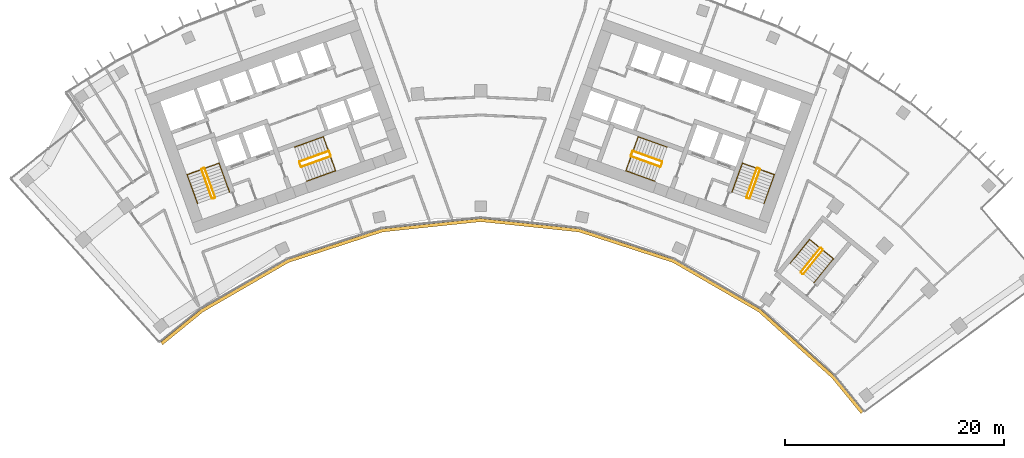
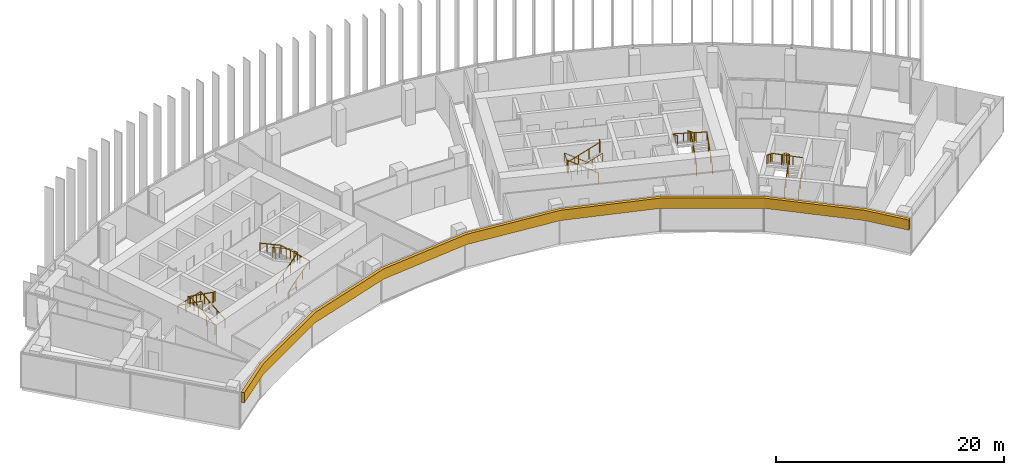
# One storey, part 19 of 19: 15 railings, 1 covering.
"""IFC4 building model written with IfcOpenShell, lengths in metres."""

from ifc_helpers import new_model, si_unit, direction, frame, origin, origin_2d, place, context, subcontext, project, spatial, polyline, circle, outline, extrude, material, layer, layer_set, type_object, element, save


model = new_model("IFC4")

# Units and contexts
model_context = context("Model", 3, precision=1e-05, world=origin(), true_north=direction((0.0, 1.0)))
body_context = subcontext(model_context, "Body", "Model", "MODEL_VIEW")
ifc_project = project(units=[si_unit("LENGTHUNIT", "METRE"), si_unit("AREAUNIT", "SQUARE_METRE"), si_unit("VOLUMEUNIT", "CUBIC_METRE"), si_unit("PLANEANGLEUNIT", "RADIAN"), si_unit("MASSUNIT", "GRAM", prefix="KILO")], contexts=[model_context])

# Site, building, storey
site_placement = place(None, origin())
site = spatial("IfcSite", under=ifc_project, at=site_placement, CompositionType="ELEMENT")
building_placement = place(site_placement, origin())
building = spatial("IfcBuilding", under=site, at=building_placement, Name="Stone Belt Terrace Tower", CompositionType="ELEMENT")
storey_placement = place(building_placement, frame((0.0, 0.0, 235.199951171875)))
storey = spatial("IfcBuildingStorey", under=building, at=storey_placement, Name="L57", CompositionType="ELEMENT", Elevation=235.199951171875)

# Railings
ifc_material_1 = material(Name="Structural steel C345", Category="steel")
railing_type_1 = type_object("IfcRailingType", Name="Stair guard 1100", PredefinedType="GUARDRAIL", material=ifc_material_1)
railing_1_placement = place(storey_placement, frame((-24.2119140625, 45.276123046875, 0.1728515625)))
element("IfcRailing", 1, at=railing_1_placement, inside=storey, type_object=railing_type_1, Name="L57 ST1A stair guard 1", PredefinedType="GUARDRAIL", context=body_context, shape_type="SweptSolid", body=[
    extrude(circle(Radius=0.02392578125, at=origin_2d()), frame((0.0, 0.0, 1.076171875), z_axis=(-0.288228637646, 0.800791768495, 0.525030280985), x_axis=(-0.940908529223, -0.338660803216, 0.0)), (0.0, 0.0, 1.0), 3.289794921875),
    extrude(circle(Radius=0.02392578125, at=origin_2d()), frame((-0.9482421875, 2.634521484375, 2.80322265625), z_axis=(-0.905209821074, 0.424964916, 0.0), x_axis=(-0.424964916, -0.905209821074, 0.0)), (0.0, 0.0, 1.0), 0.070556640625),
    extrude(circle(Radius=0.02392578125, at=origin_2d()), frame((-1.01220703125, 2.66455078125, 2.80322265625), z_axis=(-0.941105063269, -0.338114270461, 0.0), x_axis=(0.338114270461, -0.941105063269, 0.0)), (0.0, 0.0, 1.0), 0.199951171875),
    extrude(circle(Radius=0.02099609375, at=origin_2d()), origin(), (0.0, 0.0, 1.0), 1.052001953125),
    extrude(circle(Radius=0.02099609375, at=origin_2d()), frame((-0.316162109375, 0.878173828125, 0.57568359375)), (0.0, 0.0, 1.0), 1.052001953125),
    extrude(circle(Radius=0.02099609375, at=origin_2d()), frame((-0.632080078125, 1.75634765625, 1.151611328125)), (0.0, 0.0, 1.0), 1.052001953125),
    extrude(circle(Radius=0.02099609375, at=origin_2d()), frame((-0.9482421875, 2.634521484375, 1.727294921875)), (0.0, 0.0, 1.0), 1.052001953125),
    extrude(circle(Radius=0.02099609375, at=origin_2d()), frame((-1.01220703125, 2.66455078125, 1.727294921875)), (0.0, 0.0, 1.0), 1.052001953125),
    extrude(circle(Radius=0.02099609375, at=origin_2d()), frame((-1.200439453125, 2.596923828125, 1.727294921875)), (0.0, 0.0, 1.0), 1.052001953125),
])
railing_2_placement = place(storey_placement, frame((-25.4423828125, 47.80908203125, 2.07275390625)))
element("IfcRailing", 2, at=railing_2_placement, inside=storey, type_object=railing_type_1, Name="L57 ST1A stair guard 2", PredefinedType="GUARDRAIL", context=body_context, shape_type="SweptSolid", body=[
    extrude(circle(Radius=0.02392578125, at=origin_2d()), frame((0.0, 0.0, 1.076171875), z_axis=(0.288228637646, -0.800791768495, 0.525030280985), x_axis=(0.940908529223, 0.338660803216, 0.0)), (0.0, 0.0, 1.0), 3.289794921875),
    extrude(circle(Radius=0.02392578125, at=origin_2d()), frame((0.9482421875, -2.634521484375, 2.80322265625), z_axis=(0.903878284585, -0.427789722475, 0.0), x_axis=(0.427789722475, 0.903878284585, 0.0)), (0.0, 0.0, 1.0), 0.07080078125),
    extrude(circle(Radius=0.02392578125, at=origin_2d()), frame((1.01220703125, -2.664794921875, 2.80322265625), z_axis=(0.940575576748, 0.339584429008, 0.0), x_axis=(-0.339584429008, 0.940575576748, 0.0)), (0.0, 0.0, 1.0), 0.199951171875),
    extrude(circle(Radius=0.02099609375, at=origin_2d()), origin(), (0.0, 0.0, 1.0), 1.052001953125),
    extrude(circle(Radius=0.02099609375, at=origin_2d()), frame((0.316162109375, -0.878173828125, 0.57568359375)), (0.0, 0.0, 1.0), 1.052001953125),
    extrude(circle(Radius=0.02099609375, at=origin_2d()), frame((0.632080078125, -1.75634765625, 1.151611328125)), (0.0, 0.0, 1.0), 1.052001953125),
    extrude(circle(Radius=0.02099609375, at=origin_2d()), frame((0.9482421875, -2.634521484375, 1.727294921875)), (0.0, 0.0, 1.0), 1.052001953125),
    extrude(circle(Radius=0.02099609375, at=origin_2d()), frame((1.01220703125, -2.664794921875, 1.727294921875)), (0.0, 0.0, 1.0), 1.052001953125),
    extrude(circle(Radius=0.02099609375, at=origin_2d()), frame((1.2001953125, -2.596923828125, 1.727294921875)), (0.0, 0.0, 1.0), 1.052001953125),
])
railing_3_placement = place(storey_placement, frame((-16.33837890625, 48.056640625, 0.1728515625)))
element("IfcRailing", 3, at=railing_3_placement, inside=storey, type_object=railing_type_1, Name="L57 ST2A stair guard 1", PredefinedType="GUARDRAIL", context=body_context, shape_type="SweptSolid", body=[
    extrude(circle(Radius=0.02392578125, at=origin_2d()), frame((0.0, 0.0, 1.076171875), z_axis=(0.800808895155, 0.288160591223, 0.52504150989), x_axis=(-0.338583606334, 0.940936311087, 0.0)), (0.0, 0.0, 1.0), 3.289794921875),
    extrude(circle(Radius=0.02392578125, at=origin_2d()), frame((2.634521484375, 0.947998046875, 2.80322265625), z_axis=(0.427789722475, 0.903878284585, 0.0), x_axis=(-0.903878284585, 0.427789722475, 0.0)), (0.0, 0.0, 1.0), 0.07080078125),
    extrude(circle(Radius=0.02392578125, at=origin_2d()), frame((2.664794921875, 1.011962890625, 2.80322265625), z_axis=(-0.338654645739, 0.940910745459, 0.0), x_axis=(-0.940910745459, -0.338654645739, 0.0)), (0.0, 0.0, 1.0), 0.400146484375),
    extrude(circle(Radius=0.02099609375, at=origin_2d()), origin(), (0.0, 0.0, 1.0), 1.052001953125),
    extrude(circle(Radius=0.02099609375, at=origin_2d()), frame((0.878173828125, 0.31591796875, 0.57568359375)), (0.0, 0.0, 1.0), 1.052001953125),
    extrude(circle(Radius=0.02099609375, at=origin_2d()), frame((1.75634765625, 0.632080078125, 1.151611328125)), (0.0, 0.0, 1.0), 1.052001953125),
    extrude(circle(Radius=0.02099609375, at=origin_2d()), frame((2.634521484375, 0.947998046875, 1.727294921875)), (0.0, 0.0, 1.0), 1.052001953125),
    extrude(circle(Radius=0.02099609375, at=origin_2d()), frame((2.664794921875, 1.011962890625, 1.727294921875)), (0.0, 0.0, 1.0), 1.052001953125),
    extrude(circle(Radius=0.02099609375, at=origin_2d()), frame((2.529296875, 1.388427734375, 1.727294921875)), (0.0, 0.0, 1.0), 1.052001953125),
])
railing_4_placement = place(storey_placement, frame((-13.873046875, 49.47509765625, 2.07275390625)))
element("IfcRailing", 4, at=railing_4_placement, inside=storey, type_object=railing_type_1, Name="L57 ST2A stair guard 2", PredefinedType="GUARDRAIL", context=body_context, shape_type="SweptSolid", body=[
    extrude(circle(Radius=0.02392578125, at=origin_2d()), frame((0.0, 0.0, 1.076171875), z_axis=(-0.800808895155, -0.288160591223, 0.52504150989), x_axis=(0.338583606334, -0.940936311087, 0.0)), (0.0, 0.0, 1.0), 3.289794921875),
    extrude(circle(Radius=0.02392578125, at=origin_2d()), frame((-2.634521484375, -0.947998046875, 2.80322265625), z_axis=(-0.427789722475, -0.903878284585, 0.0), x_axis=(0.903878284585, -0.427789722475, 0.0)), (0.0, 0.0, 1.0), 0.07080078125),
    extrude(circle(Radius=0.02392578125, at=origin_2d()), frame((-2.664794921875, -1.011962890625, 2.80322265625), z_axis=(0.338654645739, -0.940910745459, 0.0), x_axis=(0.940910745459, 0.338654645739, 0.0)), (0.0, 0.0, 1.0), 0.400146484375),
    extrude(circle(Radius=0.02099609375, at=origin_2d()), origin(), (0.0, 0.0, 1.0), 1.052001953125),
    extrude(circle(Radius=0.02099609375, at=origin_2d()), frame((-0.878173828125, -0.31591796875, 0.57568359375)), (0.0, 0.0, 1.0), 1.052001953125),
    extrude(circle(Radius=0.02099609375, at=origin_2d()), frame((-1.75634765625, -0.632080078125, 1.151611328125)), (0.0, 0.0, 1.0), 1.052001953125),
    extrude(circle(Radius=0.02099609375, at=origin_2d()), frame((-2.634521484375, -0.947998046875, 1.727294921875)), (0.0, 0.0, 1.0), 1.052001953125),
    extrude(circle(Radius=0.02099609375, at=origin_2d()), frame((-2.664794921875, -1.011962890625, 1.727294921875)), (0.0, 0.0, 1.0), 1.052001953125),
    extrude(circle(Radius=0.02099609375, at=origin_2d()), frame((-2.529296875, -1.388427734375, 1.727294921875)), (0.0, 0.0, 1.0), 1.052001953125),
])
railing_5_placement = place(storey_placement, frame((24.494140625, 45.174560546875, 0.1728515625)))
element("IfcRailing", 5, at=railing_5_placement, inside=storey, type_object=railing_type_1, Name="L57 ST1B stair guard 1", PredefinedType="GUARDRAIL", context=body_context, shape_type="SweptSolid", body=[
    extrude(circle(Radius=0.02392578125, at=origin_2d()), frame((0.0, 0.0, 1.076171875), z_axis=(0.288228637646, 0.800791768495, 0.525030280985), x_axis=(-0.940908529223, 0.338660803216, 0.0)), (0.0, 0.0, 1.0), 3.289794921875),
    extrude(circle(Radius=0.02392578125, at=origin_2d()), frame((0.9482421875, 2.634521484375, 2.80322265625), z_axis=(-0.424964916, 0.905209821074, 0.0), x_axis=(-0.905209821074, -0.424964916, 0.0)), (0.0, 0.0, 1.0), 0.070556640625),
    extrude(circle(Radius=0.02392578125, at=origin_2d()), frame((0.918212890625, 2.698486328125, 2.80322265625), z_axis=(-0.941105063269, 0.338114270461, 0.0), x_axis=(-0.338114270461, -0.941105063269, 0.0)), (0.0, 0.0, 1.0), 0.199951171875),
    extrude(circle(Radius=0.02099609375, at=origin_2d()), origin(), (0.0, 0.0, 1.0), 1.052001953125),
    extrude(circle(Radius=0.02099609375, at=origin_2d()), frame((0.316162109375, 0.878173828125, 0.57568359375)), (0.0, 0.0, 1.0), 1.052001953125),
    extrude(circle(Radius=0.02099609375, at=origin_2d()), frame((0.632080078125, 1.75634765625, 1.151611328125)), (0.0, 0.0, 1.0), 1.052001953125),
    extrude(circle(Radius=0.02099609375, at=origin_2d()), frame((0.9482421875, 2.634521484375, 1.727294921875)), (0.0, 0.0, 1.0), 1.052001953125),
    extrude(circle(Radius=0.02099609375, at=origin_2d()), frame((0.918212890625, 2.698486328125, 1.727294921875)), (0.0, 0.0, 1.0), 1.052001953125),
    extrude(circle(Radius=0.02099609375, at=origin_2d()), frame((0.72998046875, 2.76611328125, 1.727294921875)), (0.0, 0.0, 1.0), 1.052001953125),
])
railing_6_placement = place(storey_placement, frame((25.16015625, 47.91064453125, 2.07275390625)))
element("IfcRailing", 6, at=railing_6_placement, inside=storey, type_object=railing_type_1, Name="L57 ST1B stair guard 2", PredefinedType="GUARDRAIL", context=body_context, shape_type="SweptSolid", body=[
    extrude(circle(Radius=0.02392578125, at=origin_2d()), frame((0.0, 0.0, 1.076171875), z_axis=(-0.288228637646, -0.800791768495, 0.525030280985), x_axis=(0.940908529223, -0.338660803216, 0.0)), (0.0, 0.0, 1.0), 3.289794921875),
    extrude(circle(Radius=0.02392578125, at=origin_2d()), frame((-0.9482421875, -2.634521484375, 2.80322265625), z_axis=(0.427789722475, -0.903878284585, 0.0), x_axis=(0.903878284585, 0.427789722475, 0.0)), (0.0, 0.0, 1.0), 0.07080078125),
    extrude(circle(Radius=0.02392578125, at=origin_2d()), frame((-0.91796875, -2.698486328125, 2.80322265625), z_axis=(0.940575576748, -0.339584429008, 0.0), x_axis=(0.339584429008, 0.940575576748, 0.0)), (0.0, 0.0, 1.0), 0.199951171875),
    extrude(circle(Radius=0.02099609375, at=origin_2d()), origin(), (0.0, 0.0, 1.0), 1.052001953125),
    extrude(circle(Radius=0.02099609375, at=origin_2d()), frame((-0.316162109375, -0.878173828125, 0.57568359375)), (0.0, 0.0, 1.0), 1.052001953125),
    extrude(circle(Radius=0.02099609375, at=origin_2d()), frame((-0.632080078125, -1.75634765625, 1.151611328125)), (0.0, 0.0, 1.0), 1.052001953125),
    extrude(circle(Radius=0.02099609375, at=origin_2d()), frame((-0.9482421875, -2.634521484375, 1.727294921875)), (0.0, 0.0, 1.0), 1.052001953125),
    extrude(circle(Radius=0.02099609375, at=origin_2d()), frame((-0.91796875, -2.698486328125, 1.727294921875)), (0.0, 0.0, 1.0), 1.052001953125),
    extrude(circle(Radius=0.02099609375, at=origin_2d()), frame((-0.72998046875, -2.766357421875, 1.727294921875)), (0.0, 0.0, 1.0), 1.052001953125),
])
railing_7_placement = place(storey_placement, frame((16.507568359375, 48.527099609375, 0.1728515625)))
element("IfcRailing", 7, at=railing_7_placement, inside=storey, type_object=railing_type_1, Name="L57 ST2B stair guard 1", PredefinedType="GUARDRAIL", context=body_context, shape_type="SweptSolid", body=[
    extrude(circle(Radius=0.02392578125, at=origin_2d()), frame((0.0, 0.0, 1.076171875), z_axis=(-0.800808895155, 0.288160591223, 0.52504150989), x_axis=(-0.338583606334, -0.940936311087, 0.0)), (0.0, 0.0, 1.0), 3.289794921875),
    extrude(circle(Radius=0.02392578125, at=origin_2d()), frame((-2.634521484375, 0.947998046875, 2.80322265625), z_axis=(-0.905209821074, -0.424964916, 0.0), x_axis=(0.424964916, -0.905209821074, 0.0)), (0.0, 0.0, 1.0), 0.070556640625),
    extrude(circle(Radius=0.02392578125, at=origin_2d()), frame((-2.698486328125, 0.91796875, 2.80322265625), z_axis=(-0.338654645739, -0.940910745459, 0.0), x_axis=(0.940910745459, -0.338654645739, 0.0)), (0.0, 0.0, 1.0), 0.400146484375),
    extrude(circle(Radius=0.02099609375, at=origin_2d()), origin(), (0.0, 0.0, 1.0), 1.052001953125),
    extrude(circle(Radius=0.02099609375, at=origin_2d()), frame((-0.878173828125, 0.31591796875, 0.57568359375)), (0.0, 0.0, 1.0), 1.052001953125),
    extrude(circle(Radius=0.02099609375, at=origin_2d()), frame((-1.75634765625, 0.632080078125, 1.151611328125)), (0.0, 0.0, 1.0), 1.052001953125),
    extrude(circle(Radius=0.02099609375, at=origin_2d()), frame((-2.634521484375, 0.947998046875, 1.727294921875)), (0.0, 0.0, 1.0), 1.052001953125),
    extrude(circle(Radius=0.02099609375, at=origin_2d()), frame((-2.698486328125, 0.91796875, 1.727294921875)), (0.0, 0.0, 1.0), 1.052001953125),
    extrude(circle(Radius=0.02099609375, at=origin_2d()), frame((-2.833984375, 0.54150390625, 1.727294921875)), (0.0, 0.0, 1.0), 1.052001953125),
])
railing_8_placement = place(storey_placement, frame((13.703857421875, 49.004638671875, 2.07275390625)))
element("IfcRailing", 8, at=railing_8_placement, inside=storey, type_object=railing_type_1, Name="L57 ST2B stair guard 2", PredefinedType="GUARDRAIL", context=body_context, shape_type="SweptSolid", body=[
    extrude(circle(Radius=0.02392578125, at=origin_2d()), frame((0.0, 0.0, 1.076171875), z_axis=(0.800808895155, -0.288160591223, 0.52504150989), x_axis=(0.338583606334, 0.940936311087, 0.0)), (0.0, 0.0, 1.0), 3.289794921875),
    extrude(circle(Radius=0.02392578125, at=origin_2d()), frame((2.634521484375, -0.947998046875, 2.80322265625), z_axis=(0.905209821074, 0.424964916, 0.0), x_axis=(-0.424964916, 0.905209821074, 0.0)), (0.0, 0.0, 1.0), 0.070556640625),
    extrude(circle(Radius=0.02392578125, at=origin_2d()), frame((2.698486328125, -0.91796875, 2.80322265625), z_axis=(0.338654645739, 0.940910745459, 0.0), x_axis=(-0.940910745459, 0.338654645739, 0.0)), (0.0, 0.0, 1.0), 0.400146484375),
    extrude(circle(Radius=0.02099609375, at=origin_2d()), origin(), (0.0, 0.0, 1.0), 1.052001953125),
    extrude(circle(Radius=0.02099609375, at=origin_2d()), frame((0.878173828125, -0.31591796875, 0.57568359375)), (0.0, 0.0, 1.0), 1.052001953125),
    extrude(circle(Radius=0.02099609375, at=origin_2d()), frame((1.75634765625, -0.632080078125, 1.151611328125)), (0.0, 0.0, 1.0), 1.052001953125),
    extrude(circle(Radius=0.02099609375, at=origin_2d()), frame((2.634521484375, -0.947998046875, 1.727294921875)), (0.0, 0.0, 1.0), 1.052001953125),
    extrude(circle(Radius=0.02099609375, at=origin_2d()), frame((2.698486328125, -0.91796875, 1.727294921875)), (0.0, 0.0, 1.0), 1.052001953125),
    extrude(circle(Radius=0.02099609375, at=origin_2d()), frame((2.833984375, -0.54150390625, 1.727294921875)), (0.0, 0.0, 1.0), 1.052001953125),
])
railing_9_placement = place(storey_placement, frame((29.39794921875, 38.281982421875, 0.1728515625)))
element("IfcRailing", 9, at=railing_9_placement, inside=storey, type_object=railing_type_1, Name="L57 ST3B stair guard 1", PredefinedType="GUARDRAIL", context=body_context, shape_type="SweptSolid", body=[
    extrude(circle(Radius=0.02392578125, at=origin_2d()), frame((0.0, 0.0, 1.076171875), z_axis=(0.536393061503, 0.660769759217, 0.525038864158), x_axis=(-0.776391310223, 0.630251166924, 0.0)), (0.0, 0.0, 1.0), 3.289794921875),
    extrude(circle(Radius=0.02392578125, at=origin_2d()), frame((1.7646484375, 2.173828125, 2.80322265625), z_axis=(-0.103251414163, 0.994655289773, 0.0), x_axis=(-0.994655289773, -0.103251414163, 0.0)), (0.0, 0.0, 1.0), 0.071044921875),
    extrude(circle(Radius=0.02392578125, at=origin_2d()), frame((1.75732421875, 2.244384765625, 2.80322265625), z_axis=(-0.776561986372, 0.630040856868, 0.0), x_axis=(-0.630040856868, -0.776561986372, 0.0)), (0.0, 0.0, 1.0), 0.199951171875),
    extrude(circle(Radius=0.02099609375, at=origin_2d()), origin(), (0.0, 0.0, 1.0), 1.052001953125),
    extrude(circle(Radius=0.02099609375, at=origin_2d()), frame((0.588134765625, 0.724609375, 0.57568359375)), (0.0, 0.0, 1.0), 1.052001953125),
    extrude(circle(Radius=0.02099609375, at=origin_2d()), frame((1.176513671875, 1.44921875, 1.151611328125)), (0.0, 0.0, 1.0), 1.052001953125),
    extrude(circle(Radius=0.02099609375, at=origin_2d()), frame((1.7646484375, 2.173828125, 1.727294921875)), (0.0, 0.0, 1.0), 1.052001953125),
    extrude(circle(Radius=0.02099609375, at=origin_2d()), frame((1.75732421875, 2.244384765625, 1.727294921875)), (0.0, 0.0, 1.0), 1.052001953125),
    extrude(circle(Radius=0.02099609375, at=origin_2d()), frame((1.60205078125, 2.370361328125, 1.727294921875)), (0.0, 0.0, 1.0), 1.052001953125),
])
railing_10_placement = place(storey_placement, frame((30.9296875, 40.64501953125, 2.07275390625)))
element("IfcRailing", 10, at=railing_10_placement, inside=storey, type_object=railing_type_1, Name="L57 ST3B stair guard 2", PredefinedType="GUARDRAIL", context=body_context, shape_type="SweptSolid", body=[
    extrude(circle(Radius=0.02392578125, at=origin_2d()), frame((0.0, 0.0, 1.076171875), z_axis=(-0.536366759382, -0.660811565066, 0.525013118792), x_axis=(0.776425942316, -0.630208502084, 0.0)), (0.0, 0.0, 1.0), 3.2900390625),
    extrude(circle(Radius=0.02392578125, at=origin_2d()), frame((-1.7646484375, -2.174072265625, 2.80322265625), z_axis=(0.103606084259, -0.994618408891, 0.0), x_axis=(0.994618408891, 0.103606084259, 0.0)), (0.0, 0.0, 1.0), 0.07080078125),
    extrude(circle(Radius=0.02392578125, at=origin_2d()), frame((-1.75732421875, -2.244384765625, 2.80322265625), z_axis=(0.776561986372, -0.630040856868, 0.0), x_axis=(0.630040856868, 0.776561986372, 0.0)), (0.0, 0.0, 1.0), 0.199951171875),
    extrude(circle(Radius=0.02099609375, at=origin_2d()), origin(), (0.0, 0.0, 1.0), 1.052001953125),
    extrude(circle(Radius=0.02099609375, at=origin_2d()), frame((-0.588134765625, -0.724609375, 0.57568359375)), (0.0, 0.0, 1.0), 1.052001953125),
    extrude(circle(Radius=0.02099609375, at=origin_2d()), frame((-1.176513671875, -1.449462890625, 1.151611328125)), (0.0, 0.0, 1.0), 1.052001953125),
    extrude(circle(Radius=0.02099609375, at=origin_2d()), frame((-1.7646484375, -2.174072265625, 1.727294921875)), (0.0, 0.0, 1.0), 1.052001953125),
    extrude(circle(Radius=0.02099609375, at=origin_2d()), frame((-1.75732421875, -2.244384765625, 1.727294921875)), (0.0, 0.0, 1.0), 1.052001953125),
    extrude(circle(Radius=0.02099609375, at=origin_2d()), frame((-1.60205078125, -2.370361328125, 1.727294921875)), (0.0, 0.0, 1.0), 1.052001953125),
])
railing_type_2 = type_object("IfcRailingType", Name="Stair handrail 900", PredefinedType="HANDRAIL", material=ifc_material_1)
railing_11_placement = place(storey_placement, frame((-22.894775390625, 45.750244140625, 0.1728515625)))
element("IfcRailing", 11, at=railing_11_placement, inside=storey, type_object=railing_type_2, Name="L57 ST1A stair handrail 1", PredefinedType="HANDRAIL", context=body_context, shape_type="SweptSolid", body=[
    extrude(circle(Radius=0.02392578125, at=origin_2d()), frame((0.0, 0.0, 0.8759765625), z_axis=(-0.288160591223, 0.800808895155, 0.52504150989), x_axis=(-0.940936311087, -0.338583606334, 0.0)), (0.0, 0.0, 1.0), 3.289794921875),
    extrude(circle(Radius=0.02392578125, at=origin_2d()), frame((-0.947998046875, 2.634521484375, 2.60302734375), z_axis=(-0.939464517435, -0.338106580597, 0.055591012205), x_axis=(0.338630230244, -0.940919532779, 0.0)), (0.0, 0.0, 1.0), 3.10498046875),
    extrude(circle(Radius=0.02392578125, at=origin_2d()), frame((-3.864990234375, 1.584716796875, 2.77587890625), z_axis=(0.288228637646, -0.800791768495, 0.525030280985), x_axis=(0.940908529223, 0.338660803216, 0.0)), (0.0, 0.0, 1.0), 3.289794921875),
    extrude(circle(Radius=0.02099609375, at=origin_2d()), origin(), (0.0, 0.0, 1.0), 0.851806640625),
    extrude(circle(Radius=0.02099609375, at=origin_2d()), frame((-0.31591796875, 0.878173828125, 0.57568359375)), (0.0, 0.0, 1.0), 0.851806640625),
    extrude(circle(Radius=0.02099609375, at=origin_2d()), frame((-0.632080078125, 1.75634765625, 1.151611328125)), (0.0, 0.0, 1.0), 0.851806640625),
    extrude(circle(Radius=0.02099609375, at=origin_2d()), frame((-0.947998046875, 2.634521484375, 1.727294921875)), (0.0, 0.0, 1.0), 0.851806640625),
    extrude(circle(Radius=0.02099609375, at=origin_2d()), frame((-1.92041015625, 2.28466796875, 1.784912109375)), (0.0, 0.0, 1.0), 0.851806640625),
    extrude(circle(Radius=0.02099609375, at=origin_2d()), frame((-2.892578125, 1.9345703125, 1.84228515625)), (0.0, 0.0, 1.0), 0.851806640625),
    extrude(circle(Radius=0.02099609375, at=origin_2d()), frame((-3.864990234375, 1.584716796875, 1.89990234375)), (0.0, 0.0, 1.0), 0.851806640625),
    extrude(circle(Radius=0.02099609375, at=origin_2d()), frame((-3.548828125, 0.70654296875, 2.4755859375)), (0.0, 0.0, 1.0), 0.851806640625),
    extrude(circle(Radius=0.02099609375, at=origin_2d()), frame((-3.23291015625, -0.171630859375, 3.051513671875)), (0.0, 0.0, 1.0), 0.851806640625),
    extrude(circle(Radius=0.02099609375, at=origin_2d()), frame((-2.916748046875, -1.0498046875, 3.627197265625)), (0.0, 0.0, 1.0), 0.851806640625),
])
railing_12_placement = place(storey_placement, frame((-15.8642578125, 46.7392578125, 0.1728515625)))
element("IfcRailing", 12, at=railing_12_placement, inside=storey, type_object=railing_type_2, Name="L57 ST2A stair handrail 1", PredefinedType="HANDRAIL", context=body_context, shape_type="SweptSolid", body=[
    extrude(circle(Radius=0.02392578125, at=origin_2d()), frame((0.0, 0.0, 0.8759765625), z_axis=(0.800791768495, 0.288228637646, 0.525030280985), x_axis=(-0.338660803216, 0.940908529223, 0.0)), (0.0, 0.0, 1.0), 3.289794921875),
    extrude(circle(Radius=0.02392578125, at=origin_2d()), frame((2.634521484375, 0.9482421875, 2.60302734375), z_axis=(-0.338160254016, 0.939637778147, 0.052234935458), x_axis=(-0.940922302781, -0.338622533404, 0.0)), (0.0, 0.0, 1.0), 3.304443359375),
    extrude(circle(Radius=0.02392578125, at=origin_2d()), frame((1.51708984375, 4.05322265625, 2.77587890625), z_axis=(-0.800791768495, -0.288228637646, 0.525030280985), x_axis=(0.338660803216, -0.940908529223, 0.0)), (0.0, 0.0, 1.0), 3.289794921875),
    extrude(circle(Radius=0.02099609375, at=origin_2d()), origin(), (0.0, 0.0, 1.0), 0.851806640625),
    extrude(circle(Radius=0.02099609375, at=origin_2d()), frame((0.878173828125, 0.316162109375, 0.57568359375)), (0.0, 0.0, 1.0), 0.851806640625),
    extrude(circle(Radius=0.02099609375, at=origin_2d()), frame((1.75634765625, 0.632080078125, 1.151611328125)), (0.0, 0.0, 1.0), 0.851806640625),
    extrude(circle(Radius=0.02099609375, at=origin_2d()), frame((2.634521484375, 0.9482421875, 1.727294921875)), (0.0, 0.0, 1.0), 0.851806640625),
    extrude(circle(Radius=0.02099609375, at=origin_2d()), frame((2.261962890625, 1.983154296875, 1.784912109375)), (0.0, 0.0, 1.0), 0.851806640625),
    extrude(circle(Radius=0.02099609375, at=origin_2d()), frame((1.8896484375, 3.018310546875, 1.84228515625)), (0.0, 0.0, 1.0), 0.851806640625),
    extrude(circle(Radius=0.02099609375, at=origin_2d()), frame((1.51708984375, 4.05322265625, 1.89990234375)), (0.0, 0.0, 1.0), 0.851806640625),
    extrude(circle(Radius=0.02099609375, at=origin_2d()), frame((0.638916015625, 3.737060546875, 2.4755859375)), (0.0, 0.0, 1.0), 0.851806640625),
    extrude(circle(Radius=0.02099609375, at=origin_2d()), frame((-0.2392578125, 3.421142578125, 3.051513671875)), (0.0, 0.0, 1.0), 0.851806640625),
    extrude(circle(Radius=0.02099609375, at=origin_2d()), frame((-1.117431640625, 3.10498046875, 3.627197265625)), (0.0, 0.0, 1.0), 0.851806640625),
])
railing_13_placement = place(storey_placement, frame((25.8115234375, 44.700439453125, 0.1728515625)))
element("IfcRailing", 13, at=railing_13_placement, inside=storey, type_object=railing_type_2, Name="L57 ST1B stair handrail 1", PredefinedType="HANDRAIL", context=body_context, shape_type="SweptSolid", body=[
    extrude(circle(Radius=0.02392578125, at=origin_2d()), frame((0.0, 0.0, 0.8759765625), z_axis=(0.288228637646, 0.800791768495, 0.525030280985), x_axis=(-0.940908529223, 0.338660803216, 0.0)), (0.0, 0.0, 1.0), 3.289794921875),
    extrude(circle(Radius=0.02392578125, at=origin_2d()), frame((0.9482421875, 2.634521484375, 2.60302734375), z_axis=(-0.939464517435, 0.338106580597, 0.055591012205), x_axis=(-0.338630230244, -0.940919532779, 0.0)), (0.0, 0.0, 1.0), 3.10498046875),
    extrude(circle(Radius=0.02392578125, at=origin_2d()), frame((-1.96875, 3.684326171875, 2.77587890625), z_axis=(-0.288160591223, -0.800808895155, 0.52504150989), x_axis=(0.940936311087, -0.338583606334, 0.0)), (0.0, 0.0, 1.0), 3.289794921875),
    extrude(circle(Radius=0.02099609375, at=origin_2d()), origin(), (0.0, 0.0, 1.0), 0.851806640625),
    extrude(circle(Radius=0.02099609375, at=origin_2d()), frame((0.316162109375, 0.878173828125, 0.57568359375)), (0.0, 0.0, 1.0), 0.851806640625),
    extrude(circle(Radius=0.02099609375, at=origin_2d()), frame((0.632080078125, 1.75634765625, 1.151611328125)), (0.0, 0.0, 1.0), 0.851806640625),
    extrude(circle(Radius=0.02099609375, at=origin_2d()), frame((0.9482421875, 2.634521484375, 1.727294921875)), (0.0, 0.0, 1.0), 0.851806640625),
    extrude(circle(Radius=0.02099609375, at=origin_2d()), frame((-0.024169921875, 2.984375, 1.784912109375)), (0.0, 0.0, 1.0), 0.851806640625),
    extrude(circle(Radius=0.02099609375, at=origin_2d()), frame((-0.996337890625, 3.33447265625, 1.84228515625)), (0.0, 0.0, 1.0), 0.851806640625),
    extrude(circle(Radius=0.02099609375, at=origin_2d()), frame((-1.96875, 3.684326171875, 1.89990234375)), (0.0, 0.0, 1.0), 0.851806640625),
    extrude(circle(Radius=0.02099609375, at=origin_2d()), frame((-2.28466796875, 2.80615234375, 2.4755859375)), (0.0, 0.0, 1.0), 0.851806640625),
    extrude(circle(Radius=0.02099609375, at=origin_2d()), frame((-2.600830078125, 1.927978515625, 3.051513671875)), (0.0, 0.0, 1.0), 0.851806640625),
    extrude(circle(Radius=0.02099609375, at=origin_2d()), frame((-2.916748046875, 1.0498046875, 3.627197265625)), (0.0, 0.0, 1.0), 0.851806640625),
])
railing_14_placement = place(storey_placement, frame((16.981689453125, 49.84423828125, 0.1728515625)))
element("IfcRailing", 14, at=railing_14_placement, inside=storey, type_object=railing_type_2, Name="L57 ST2B stair handrail 1", PredefinedType="HANDRAIL", context=body_context, shape_type="SweptSolid", body=[
    extrude(circle(Radius=0.02392578125, at=origin_2d()), frame((0.0, 0.0, 0.8759765625), z_axis=(-0.800791768495, 0.288228637646, 0.525030280985), x_axis=(-0.338660803216, -0.940908529223, 0.0)), (0.0, 0.0, 1.0), 3.289794921875),
    extrude(circle(Radius=0.02392578125, at=origin_2d()), frame((-2.634521484375, 0.9482421875, 2.60302734375), z_axis=(-0.338160254016, -0.939637778147, 0.052234935458), x_axis=(0.940922302781, -0.338622533404, 0.0)), (0.0, 0.0, 1.0), 3.304443359375),
    extrude(circle(Radius=0.02392578125, at=origin_2d()), frame((-3.751953125, -2.15673828125, 2.77587890625), z_axis=(0.800791768495, -0.288228637646, 0.525030280985), x_axis=(0.338660803216, 0.940908529223, 0.0)), (0.0, 0.0, 1.0), 3.289794921875),
    extrude(circle(Radius=0.02099609375, at=origin_2d()), origin(), (0.0, 0.0, 1.0), 0.851806640625),
    extrude(circle(Radius=0.02099609375, at=origin_2d()), frame((-0.878173828125, 0.316162109375, 0.57568359375)), (0.0, 0.0, 1.0), 0.851806640625),
    extrude(circle(Radius=0.02099609375, at=origin_2d()), frame((-1.75634765625, 0.632080078125, 1.151611328125)), (0.0, 0.0, 1.0), 0.851806640625),
    extrude(circle(Radius=0.02099609375, at=origin_2d()), frame((-2.634521484375, 0.9482421875, 1.727294921875)), (0.0, 0.0, 1.0), 0.851806640625),
    extrude(circle(Radius=0.02099609375, at=origin_2d()), frame((-3.007080078125, -0.086669921875, 1.784912109375)), (0.0, 0.0, 1.0), 0.851806640625),
    extrude(circle(Radius=0.02099609375, at=origin_2d()), frame((-3.37939453125, -1.121826171875, 1.84228515625)), (0.0, 0.0, 1.0), 0.851806640625),
    extrude(circle(Radius=0.02099609375, at=origin_2d()), frame((-3.751953125, -2.15673828125, 1.89990234375)), (0.0, 0.0, 1.0), 0.851806640625),
    extrude(circle(Radius=0.02099609375, at=origin_2d()), frame((-2.873779296875, -2.472900390625, 2.4755859375)), (0.0, 0.0, 1.0), 0.851806640625),
    extrude(circle(Radius=0.02099609375, at=origin_2d()), frame((-1.99560546875, -2.788818359375, 3.051513671875)), (0.0, 0.0, 1.0), 0.851806640625),
    extrude(circle(Radius=0.02099609375, at=origin_2d()), frame((-1.117431640625, -3.10498046875, 3.627197265625)), (0.0, 0.0, 1.0), 0.851806640625),
])
railing_15_placement = place(storey_placement, frame((30.36865234375, 37.494140625, 0.1728515625)))
element("IfcRailing", 15, at=railing_15_placement, inside=storey, type_object=railing_type_2, Name="L57 ST3B stair handrail 1", PredefinedType="HANDRAIL", context=body_context, shape_type="SweptSolid", body=[
    extrude(circle(Radius=0.02392578125, at=origin_2d()), frame((0.0, 0.0, 0.8759765625), z_axis=(0.536366759382, 0.660811565066, 0.525013118792), x_axis=(-0.776425942316, 0.630208502084, 0.0)), (0.0, 0.0, 1.0), 3.2900390625),
    extrude(circle(Radius=0.02392578125, at=origin_2d()), frame((1.7646484375, 2.174072265625, 2.60302734375), z_axis=(-0.774954966459, 0.629014542119, 0.061526463929), x_axis=(-0.630208502084, -0.776425942316, 0.0)), (0.0, 0.0, 1.0), 2.805419921875),
    extrude(circle(Radius=0.02392578125, at=origin_2d()), frame((-0.409423828125, 3.938720703125, 2.77587890625), z_axis=(-0.536366759382, -0.660811565066, 0.525013118792), x_axis=(0.776425942316, -0.630208502084, 0.0)), (0.0, 0.0, 1.0), 3.2900390625),
    extrude(circle(Radius=0.02099609375, at=origin_2d()), origin(), (0.0, 0.0, 1.0), 0.851806640625),
    extrude(circle(Radius=0.02099609375, at=origin_2d()), frame((0.588134765625, 0.724609375, 0.57568359375)), (0.0, 0.0, 1.0), 0.851806640625),
    extrude(circle(Radius=0.02099609375, at=origin_2d()), frame((1.176513671875, 1.449462890625, 1.151611328125)), (0.0, 0.0, 1.0), 0.851806640625),
    extrude(circle(Radius=0.02099609375, at=origin_2d()), frame((1.7646484375, 2.174072265625, 1.727294921875)), (0.0, 0.0, 1.0), 0.851806640625),
    extrude(circle(Radius=0.02099609375, at=origin_2d()), frame((1.0400390625, 2.76220703125, 1.784912109375)), (0.0, 0.0, 1.0), 0.851806640625),
    extrude(circle(Radius=0.02099609375, at=origin_2d()), frame((0.315185546875, 3.3505859375, 1.84228515625)), (0.0, 0.0, 1.0), 0.851806640625),
    extrude(circle(Radius=0.02099609375, at=origin_2d()), frame((-0.409423828125, 3.938720703125, 1.89990234375)), (0.0, 0.0, 1.0), 0.851806640625),
    extrude(circle(Radius=0.02099609375, at=origin_2d()), frame((-0.99755859375, 3.214111328125, 2.4755859375)), (0.0, 0.0, 1.0), 0.851806640625),
    extrude(circle(Radius=0.02099609375, at=origin_2d()), frame((-1.5859375, 2.4892578125, 3.051513671875)), (0.0, 0.0, 1.0), 0.851806640625),
    extrude(circle(Radius=0.02099609375, at=origin_2d()), frame((-2.174072265625, 1.7646484375, 3.627197265625)), (0.0, 0.0, 1.0), 0.851806640625),
])

# Covering
ifc_material_2 = material(Name="Terracotta coloured glazed ceramic", Category="masonry")
ifc_layer = layer(ifc_material_2, 0.300048828125)
ifc_layer_set = layer_set([ifc_layer], Name="Terracotta spandrel band 300 x 1100")
covering_type = type_object("IfcCoveringType", Name="Terracotta spandrel band 300 x 1100", PredefinedType="CLADDING", material=ifc_layer_set)
covering_placement = place(storey_placement, frame((0.0, 0.0, 2.699951171875)))
element("IfcCovering", 16, at=covering_placement, inside=storey, type_object=covering_type, Name="BAND L57", PredefinedType="CLADDING", context=body_context, shape_type="SweptSolid", body=[
    extrude(outline(polyline([(-29.178466796875, 32.060302734375), (-25.483154296875, 35.068359375), (-17.631591796875, 39.6015625), (-9.0126953125, 42.40185546875), (0.0, 43.34912109375), (9.0126953125, 42.40185546875), (17.631591796875, 39.6015625), (25.47998046875, 35.0703125), (32.2177734375, 29.00341796875), (34.8720703125, 25.752197265625), (34.6396484375, 25.5625), (32.0, 28.7958984375), (25.302734375, 34.826171875), (17.509033203125, 39.325927734375), (8.9501953125, 42.10693359375), (0.0, 43.047607421875), (-8.9501953125, 42.10693359375), (-17.509033203125, 39.325927734375), (-25.3125, 34.820556640625), (-28.989013671875, 31.82763671875), (-29.178466796875, 32.060302734375)])), origin(), (0.0, 0.0, 1.0), 1.10009765625),
])

save(model, "model.ifc")
